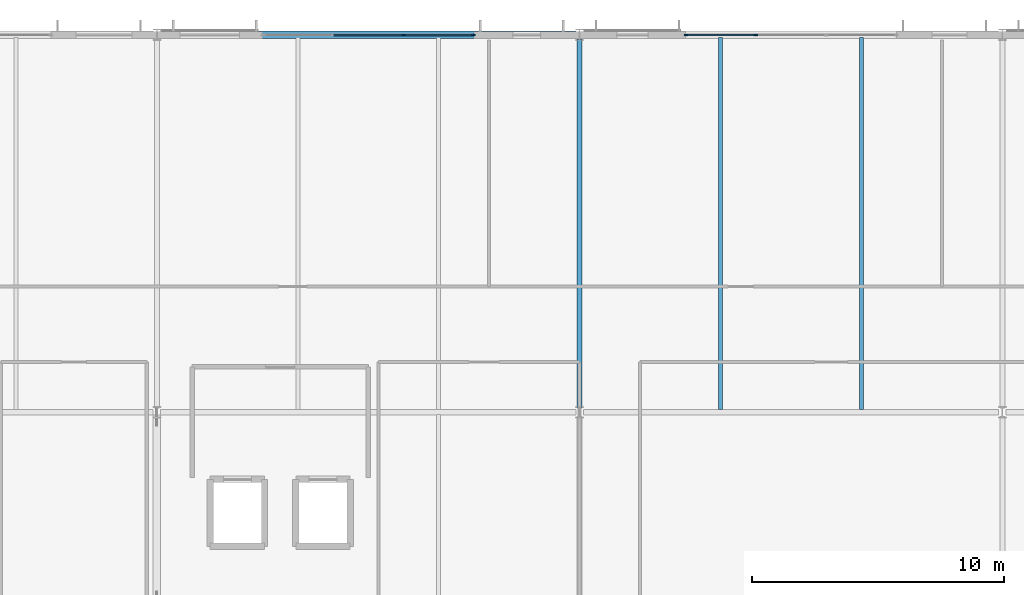
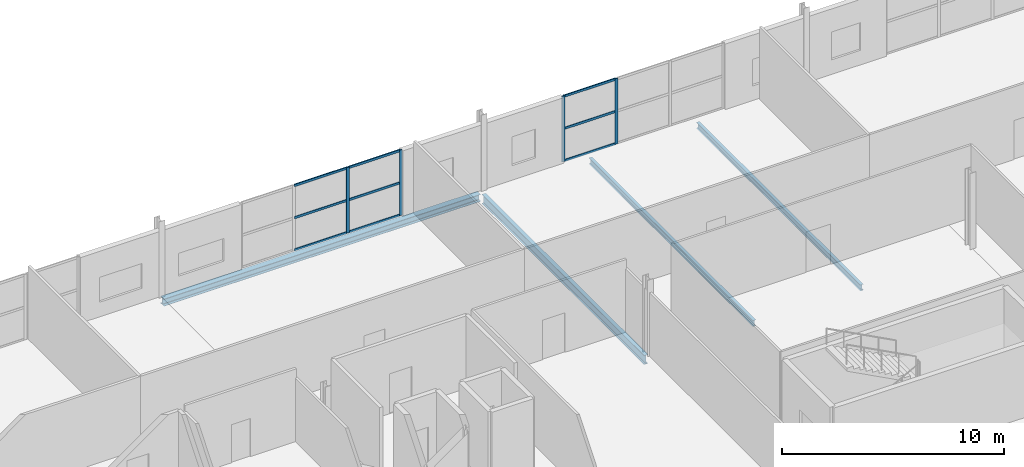
# One storey, part 16 of 39: 13 members, 4 beams, 2 elements without a shape of their own.
"""IFC4 building model written with IfcOpenShell, lengths in metres."""

from ifc_helpers import new_model, si_unit, direction, frame, origin, origin_2d, place, context, subcontext, project, spatial, rectangle, i_section, extrude, material, material_profile, profile_set, type_object, element, aggregate, save


model = new_model("IFC4")

# Units and contexts
model_context = context("Model", 3, precision=1e-05, world=origin(), true_north=direction((0.0, 1.0)))
body_context = subcontext(model_context, "Body", "Model", "MODEL_VIEW")
ifc_project = project(units=[si_unit("LENGTHUNIT", "METRE"), si_unit("AREAUNIT", "SQUARE_METRE"), si_unit("VOLUMEUNIT", "CUBIC_METRE"), si_unit("PLANEANGLEUNIT", "RADIAN"), si_unit("MASSUNIT", "GRAM", prefix="KILO")], contexts=[model_context])

# Site, building, storey
site_placement = place(None, origin())
site = spatial("IfcSite", under=ifc_project, at=site_placement, CompositionType="ELEMENT")
building_placement = place(site_placement, origin())
building = spatial("IfcBuilding", under=site, at=building_placement, Name="Kimbaza Rail Terminus", CompositionType="ELEMENT")
storey_placement = place(building_placement, frame((0.0, 0.0, 16.800048828125)))
storey = spatial("IfcBuildingStorey", under=building, at=storey_placement, Name="L03", CompositionType="ELEMENT", Elevation=16.800048828125)

# Curtain wall, members
ifc_material_1 = material(Name="Anodised aluminium framing and solar low-E glazing", Category="aluminium")
curtain_wall_type = type_object("IfcCurtainWallType", Name="ARC-CW-OP2", PredefinedType="USERDEFINED", material=ifc_material_1)
curtain_wall_1_placement = place(storey_placement, origin())
curtain_wall_1 = element("IfcCurtainWall", 1, at=curtain_wall_1_placement, inside=storey, type_object=curtain_wall_type, Name="Operations North Curtain Wall L03 Bay 3", ObjectType="STICK CURTAIN WALL", PredefinedType="USERDEFINED")
ifc_material_2 = material(Name="Anodised architectural aluminium", Category="aluminium")
ifc_material_profile_1 = material_profile(ifc_material_2, rectangle(XDim=0.05810546875, YDim=0.14990234375, at=origin_2d()), Name="MULLION 58x150")
ifc_profile_set_1 = profile_set([ifc_material_profile_1], Name="Anodised architectural aluminium")
member_type_1 = type_object("IfcMemberType", Name="ARC-CWM-06", PredefinedType="MULLION", material=ifc_profile_set_1)
member_1_placement = place(storey_placement, frame((98.60009765625, 133.0, 0.0), z_axis=(0.0, 0.0, 1.0), x_axis=(0.0, 1.0, 0.0)))
member_1 = element("IfcMember", 2, at=member_1_placement, type_object=member_type_1, Name="CW-06 mullion 3", PredefinedType="MULLION", context=body_context, shape_type="SweptSolid", body=[
    extrude(rectangle(XDim=0.05810546875, YDim=0.14990234375, at=origin_2d()), origin(), (0.0, 0.0, 1.0), 3.60498046875),
])
member_2_placement = place(storey_placement, frame((101.37109375, 133.0, 0.0), z_axis=(0.0, 0.0, 1.0), x_axis=(0.0, 1.0, 0.0)))
member_2 = element("IfcMember", 3, at=member_2_placement, type_object=member_type_1, Name="CW-06 mullion 4", PredefinedType="MULLION", context=body_context, shape_type="SweptSolid", body=[
    extrude(rectangle(XDim=0.05810546875, YDim=0.14990234375, at=origin_2d()), origin(), (0.0, 0.0, 1.0), 3.60498046875),
])

curtain_wall_2_placement = place(storey_placement, origin())
curtain_wall_2 = element("IfcCurtainWall", 4, at=curtain_wall_2_placement, inside=storey, type_object=curtain_wall_type, Name="Operations North Curtain Wall L03 Bay 4", ObjectType="STICK CURTAIN WALL", PredefinedType="USERDEFINED")
member_3_placement = place(storey_placement, frame((109.8291015625, 133.0, 0.0), z_axis=(0.0, 0.0, 1.0), x_axis=(0.0, 1.0, 0.0)))
member_3 = element("IfcMember", 5, at=member_3_placement, type_object=member_type_1, Name="CW-06 mullion 1", PredefinedType="MULLION", context=body_context, shape_type="SweptSolid", body=[
    extrude(rectangle(XDim=0.05810546875, YDim=0.14990234375, at=origin_2d()), origin(), (0.0, 0.0, 1.0), 3.60498046875),
])
member_4_placement = place(storey_placement, frame((112.60009765625, 133.0, 0.0), z_axis=(0.0, 0.0, 1.0), x_axis=(0.0, 1.0, 0.0)))
member_4 = element("IfcMember", 6, at=member_4_placement, type_object=member_type_1, Name="CW-06 mullion 2", PredefinedType="MULLION", context=body_context, shape_type="SweptSolid", body=[
    extrude(rectangle(XDim=0.05810546875, YDim=0.14990234375, at=origin_2d()), origin(), (0.0, 0.0, 1.0), 3.60498046875),
])

# Member
ifc_material_3 = material(Name="Anodised architectural aluminium", Category="aluminium")
ifc_material_profile_2 = material_profile(ifc_material_3, rectangle(XDim=0.05810546875, YDim=0.125, at=origin_2d()), Name="TRANSOM 58x125")
ifc_profile_set_2 = profile_set([ifc_material_profile_2], Name="Anodised architectural aluminium")
member_type_2 = type_object("IfcMemberType", Name="ARC-CWT-06", PredefinedType="USERDEFINED", material=ifc_profile_set_2)
member_5_placement = place(storey_placement, frame((95.8291015625, 133.0, 0.029052734375), z_axis=(1.0, 0.0, 0.0), x_axis=(0.0, 1.0, 0.0)))
member_5 = element("IfcMember", 7, at=member_5_placement, type_object=member_type_2, Name="CW-06 transom 2.1", ObjectType="TRANSOM", PredefinedType="USERDEFINED", context=body_context, shape_type="SweptSolid", body=[
    extrude(rectangle(XDim=0.05810546875, YDim=0.125, at=origin_2d()), origin(), (0.0, 0.0, 1.0), 2.741943359375),
])

member_6_placement = place(storey_placement, frame((95.8291015625, 133.0, 1.802490234375), z_axis=(1.0, 0.0, 0.0), x_axis=(0.0, 1.0, 0.0)))
member_6 = element("IfcMember", 8, at=member_6_placement, type_object=member_type_2, Name="CW-06 transom 2.2", ObjectType="TRANSOM", PredefinedType="USERDEFINED", context=body_context, shape_type="SweptSolid", body=[
    extrude(rectangle(XDim=0.05810546875, YDim=0.125, at=origin_2d()), origin(), (0.0, 0.0, 1.0), 2.741943359375),
])

member_7_placement = place(storey_placement, frame((95.8291015625, 133.0, 3.575927734375), z_axis=(1.0, 0.0, 0.0), x_axis=(0.0, 1.0, 0.0)))
member_7 = element("IfcMember", 9, at=member_7_placement, type_object=member_type_2, Name="CW-06 transom 2.3", ObjectType="TRANSOM", PredefinedType="USERDEFINED", context=body_context, shape_type="SweptSolid", body=[
    extrude(rectangle(XDim=0.05810546875, YDim=0.125, at=origin_2d()), origin(), (0.0, 0.0, 1.0), 2.741943359375),
])

member_8_placement = place(storey_placement, frame((98.62890625, 133.0, 0.029052734375), z_axis=(1.0, 0.0, 0.0), x_axis=(0.0, 1.0, 0.0)))
member_8 = element("IfcMember", 10, at=member_8_placement, type_object=member_type_2, Name="CW-06 transom 3.1", ObjectType="TRANSOM", PredefinedType="USERDEFINED", context=body_context, shape_type="SweptSolid", body=[
    extrude(rectangle(XDim=0.05810546875, YDim=0.125, at=origin_2d()), origin(), (0.0, 0.0, 1.0), 2.713134765625),
])

member_9_placement = place(storey_placement, frame((98.62890625, 133.0, 1.802490234375), z_axis=(1.0, 0.0, 0.0), x_axis=(0.0, 1.0, 0.0)))
member_9 = element("IfcMember", 11, at=member_9_placement, type_object=member_type_2, Name="CW-06 transom 3.2", ObjectType="TRANSOM", PredefinedType="USERDEFINED", context=body_context, shape_type="SweptSolid", body=[
    extrude(rectangle(XDim=0.05810546875, YDim=0.125, at=origin_2d()), origin(), (0.0, 0.0, 1.0), 2.713134765625),
])

member_10_placement = place(storey_placement, frame((98.62890625, 133.0, 3.575927734375), z_axis=(1.0, 0.0, 0.0), x_axis=(0.0, 1.0, 0.0)))
member_10 = element("IfcMember", 12, at=member_10_placement, type_object=member_type_2, Name="CW-06 transom 3.3", ObjectType="TRANSOM", PredefinedType="USERDEFINED", context=body_context, shape_type="SweptSolid", body=[
    extrude(rectangle(XDim=0.05810546875, YDim=0.125, at=origin_2d()), origin(), (0.0, 0.0, 1.0), 2.713134765625),
])

aggregate(curtain_wall_1, [member_1, member_2, member_5, member_6, member_7, member_8, member_9, member_10])

member_11_placement = place(storey_placement, frame((109.85791015625, 133.0, 0.029052734375), z_axis=(1.0, 0.0, 0.0), x_axis=(0.0, 1.0, 0.0)))
member_11 = element("IfcMember", 13, at=member_11_placement, type_object=member_type_2, Name="CW-06 transom 1.1", ObjectType="TRANSOM", PredefinedType="USERDEFINED", context=body_context, shape_type="SweptSolid", body=[
    extrude(rectangle(XDim=0.05810546875, YDim=0.125, at=origin_2d()), origin(), (0.0, 0.0, 1.0), 2.713134765625),
])

member_12_placement = place(storey_placement, frame((109.85791015625, 133.0, 1.802490234375), z_axis=(1.0, 0.0, 0.0), x_axis=(0.0, 1.0, 0.0)))
member_12 = element("IfcMember", 14, at=member_12_placement, type_object=member_type_2, Name="CW-06 transom 1.2", ObjectType="TRANSOM", PredefinedType="USERDEFINED", context=body_context, shape_type="SweptSolid", body=[
    extrude(rectangle(XDim=0.05810546875, YDim=0.125, at=origin_2d()), origin(), (0.0, 0.0, 1.0), 2.713134765625),
])

member_13_placement = place(storey_placement, frame((109.85791015625, 133.0, 3.575927734375), z_axis=(1.0, 0.0, 0.0), x_axis=(0.0, 1.0, 0.0)))
member_13 = element("IfcMember", 15, at=member_13_placement, type_object=member_type_2, Name="CW-06 transom 1.3", ObjectType="TRANSOM", PredefinedType="USERDEFINED", context=body_context, shape_type="SweptSolid", body=[
    extrude(rectangle(XDim=0.05810546875, YDim=0.125, at=origin_2d()), origin(), (0.0, 0.0, 1.0), 2.713134765625),
])

aggregate(curtain_wall_2, [member_3, member_4, member_11, member_12, member_13])

# Beams
ifc_material_4 = material(Name="Steel S355", Category="steel")
ifc_material_profile_3 = material_profile(ifc_material_4, i_section(OverallWidth=0.300048828125, OverallDepth=0.389892578125, WebThickness=0.010986328125, FlangeThickness=0.01904296875, FilletRadius=0.027099609375, at=origin_2d()), Name="HEA 400")
ifc_profile_set_3 = profile_set([ifc_material_profile_3], Name="Steel S355")
beam_type_1 = type_object("IfcBeamType", Name="STR-BM-HEA400", PredefinedType="SPANDREL", material=ifc_profile_set_3)
beam_1_placement = place(storey_placement, frame((88.946044921875, 133.0, -0.39501953125), z_axis=(1.0, 0.0, 0.0), x_axis=(0.0, 1.0, 0.0)))
element("IfcBeam", 16, at=beam_1_placement, inside=storey, type_object=beam_type_1, Name="Operations Girder L03 X2-Y2", PredefinedType="SPANDREL", context=body_context, shape_type="SweptSolid", body=[
    extrude(i_section(OverallWidth=0.300048828125, OverallDepth=0.389892578125, WebThickness=0.010986328125, FlangeThickness=0.01904296875, FilletRadius=0.027099609375, at=origin_2d()), origin(), (0.0, 0.0, 1.0), 16.508056640625),
])
ifc_material_5 = material(Name="Steel S355", Category="steel")
ifc_material_profile_4 = material_profile(ifc_material_5, i_section(OverallWidth=0.159912109375, OverallDepth=0.330078125, WebThickness=0.007568359375, FlangeThickness=0.011474609375, FilletRadius=0.01806640625, at=origin_2d()), Name="IPE 330")
ifc_profile_set_4 = profile_set([ifc_material_profile_4], Name="Steel S355")
beam_type_2 = type_object("IfcBeamType", Name="STR-BM-IPE330", PredefinedType="JOIST", material=ifc_profile_set_4)
for number, where, z_axis, x_axis, name in (
    (17, (111.199951171875, 118.10009765625, -0.364990234375), (0.0, 1.0, 0.0), (-1.0, 0.0, 0.0), "Operations Secondary Joist L03"),
    (18, (116.800048828125, 118.10009765625, -0.364990234375), (0.0, 1.0, 0.0), (-1.0, 0.0, 0.0), "Operations Secondary Joist L03"),
):
    element("IfcBeam", number, at=place(storey_placement, frame(where, z_axis=z_axis, x_axis=x_axis)), inside=storey, type_object=beam_type_2, Name=name, PredefinedType="JOIST", context=body_context, shape_type="SweptSolid", body=[
        extrude(i_section(OverallWidth=0.159912109375, OverallDepth=0.330078125, WebThickness=0.007568359375, FlangeThickness=0.011474609375, FilletRadius=0.01806640625, at=origin_2d()), origin(), (0.0, 0.0, 1.0), 14.7998046875),
    ])
ifc_material_6 = material(Name="Steel S355", Category="steel")
ifc_material_profile_5 = material_profile(ifc_material_6, i_section(OverallWidth=0.199951171875, OverallDepth=0.5, WebThickness=0.01025390625, FlangeThickness=0.01611328125, FilletRadius=0.02099609375, at=origin_2d()), Name="IPE 500")
ifc_profile_set_5 = profile_set([ifc_material_profile_5], Name="Steel S355")
beam_type_3 = type_object("IfcBeamType", Name="STR-BM-IPE500", PredefinedType="BEAM", material=ifc_profile_set_5)
beam_2_placement = place(storey_placement, frame((105.60009765625, 118.175048828125, -0.449951171875), z_axis=(0.0, 1.0, 0.0), x_axis=(-1.0, 0.0, 0.0)))
element("IfcBeam", 19, at=beam_2_placement, inside=storey, type_object=beam_type_3, Name="Operations Cross Girder L03 X3-Y1", PredefinedType="BEAM", context=body_context, shape_type="SweptSolid", body=[
    extrude(i_section(OverallWidth=0.199951171875, OverallDepth=0.5, WebThickness=0.01025390625, FlangeThickness=0.01611328125, FilletRadius=0.02099609375, at=origin_2d()), origin(), (0.0, 0.0, 1.0), 14.64990234375),
])

save(model, "model.ifc")
